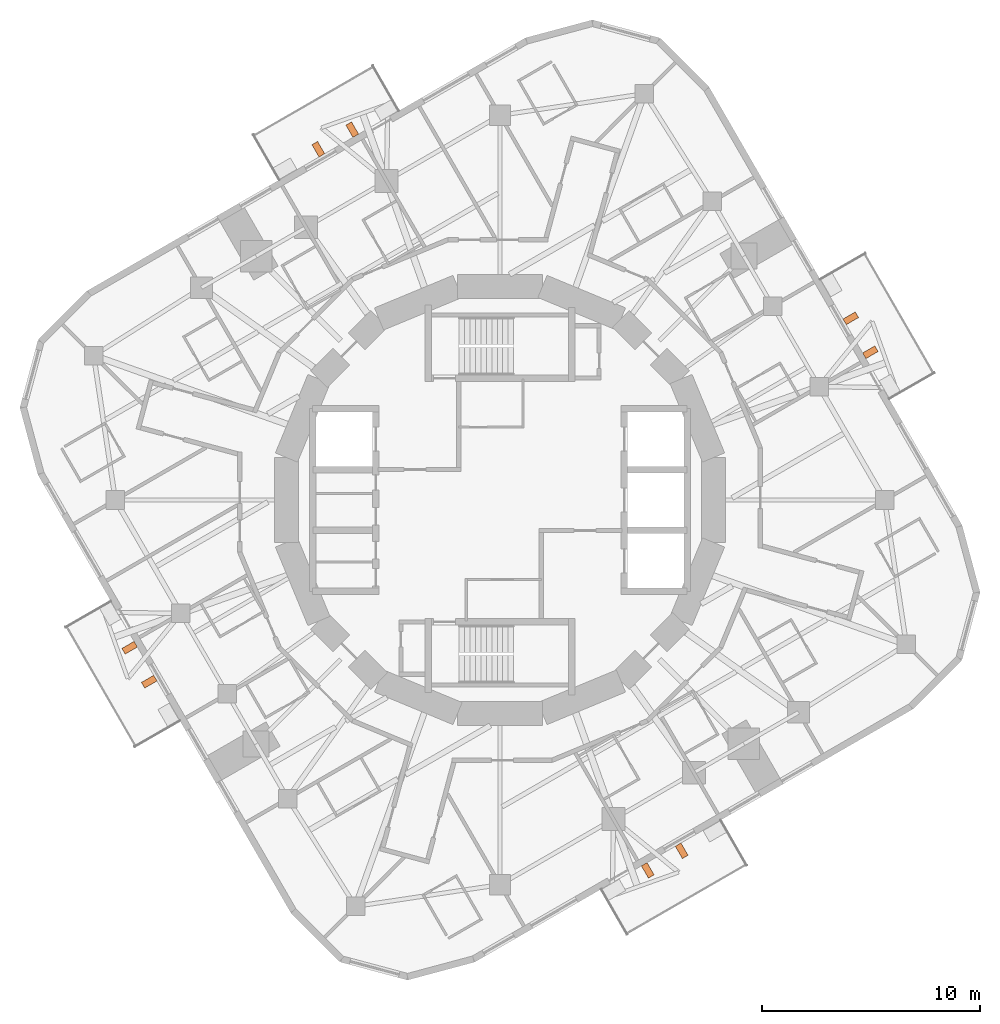
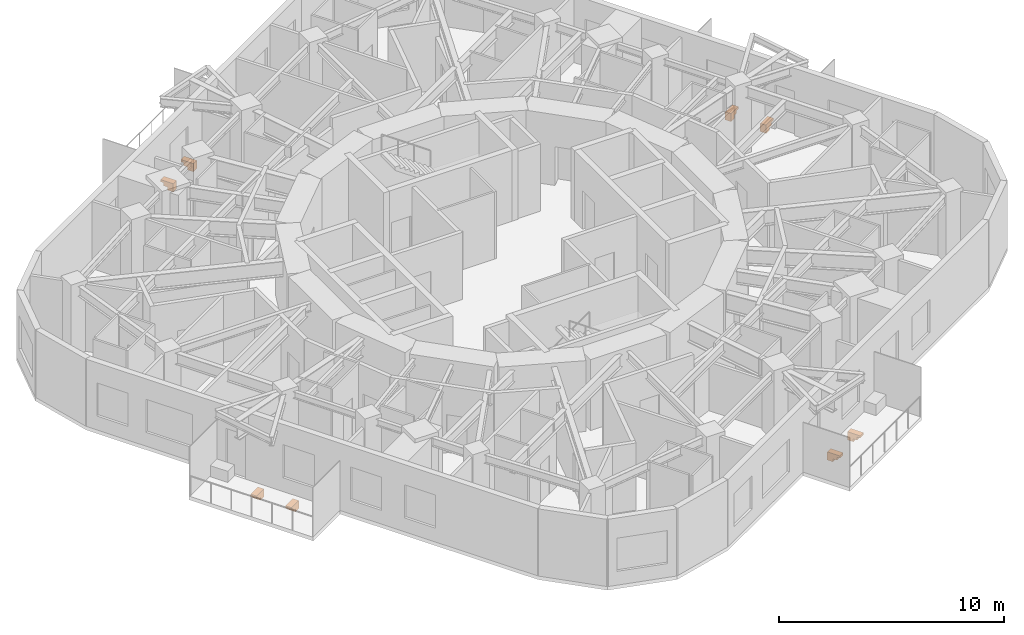
# One storey, part 11 of 11: 8 proxies.
"""IFC4 building model written with IfcOpenShell, lengths in metres."""

from ifc_helpers import new_model, si_unit, direction, frame, origin, place, context, subcontext, project, spatial, polyline, outline, extrude, material, type_object, element, save


model = new_model("IFC4")

# Units and contexts
model_context = context("Model", 3, precision=1e-05, world=origin(), true_north=direction((0.0, 1.0)))
body_context = subcontext(model_context, "Body", "Model", "MODEL_VIEW")
ifc_project = project(units=[si_unit("LENGTHUNIT", "METRE"), si_unit("AREAUNIT", "SQUARE_METRE"), si_unit("VOLUMEUNIT", "CUBIC_METRE"), si_unit("PLANEANGLEUNIT", "RADIAN"), si_unit("MASSUNIT", "GRAM", prefix="KILO")], contexts=[model_context])

# Site, building, storey
site_placement = place(None, origin())
site = spatial("IfcSite", under=ifc_project, at=site_placement, CompositionType="ELEMENT")
building_placement = place(site_placement, origin())
building = spatial("IfcBuilding", under=site, at=building_placement, Name="Nakasero Lantern House", CompositionType="ELEMENT")
storey_placement = place(building_placement, frame((0.0, 0.0, 250.050048828125)))
storey = spatial("IfcBuildingStorey", under=building, at=storey_placement, Name="L61", CompositionType="ELEMENT", Elevation=250.050048828125)

# Proxies
ifc_material = material(Name="Concrete C40/50 precast", Category="concrete")
building_element_proxy_type = type_object("IfcBuildingElementProxyType", Name="Balcony bracket 300", PredefinedType="USERDEFINED", material=ifc_material)
for number, where, z_axis, x_axis, name in (
    (1, (16.7294921875, 6.62353515625, -0.199951171875), (0.0, 0.0, 1.0), (0.866025404, 0.5, 0.0), "Balcony bracket L61 0A"),
    (2, (15.82958984375, 8.182373046875, -0.199951171875), (0.0, 0.0, 1.0), (0.866025404, 0.5, 0.0), "Balcony bracket L61 0B"),
    (3, (-6.62353515625, 16.7294921875, -0.199951171875), (0.0, 0.0, 1.0), (-0.5, 0.866025404, 0.0), "Balcony bracket L61 1A"),
    (4, (-8.182373046875, 15.82958984375, -0.199951171875), (0.0, 0.0, 1.0), (-0.5, 0.866025404, 0.0), "Balcony bracket L61 1B"),
    (5, (-16.7294921875, -6.62353515625, -0.199951171875), (0.0, 0.0, 1.0), (-0.866025404, -0.5, 0.0), "Balcony bracket L61 2A"),
    (6, (-15.82958984375, -8.182373046875, -0.199951171875), (0.0, 0.0, 1.0), (-0.866025404, -0.5, 0.0), "Balcony bracket L61 2B"),
    (7, (6.62353515625, -16.7294921875, -0.199951171875), (0.0, 0.0, 1.0), (0.5, -0.866025404, 0.0), "Balcony bracket L61 3A"),
    (8, (8.182373046875, -15.82958984375, -0.199951171875), (0.0, 0.0, 1.0), (0.5, -0.866025404, 0.0), "Balcony bracket L61 3B"),
):
    element("IfcBuildingElementProxy", number, at=place(storey_placement, frame(where, z_axis=z_axis, x_axis=x_axis)), inside=storey, type_object=building_element_proxy_type, Name=name, ObjectType="BALCONY BRACKET", PredefinedType="USERDEFINED", context=body_context, shape_type="SweptSolid", body=[
        extrude(outline(polyline([(0.0, 0.0), (0.64990234375, 0.0), (0.64990234375, -0.1201171875), (0.5, -0.1201171875), (0.5, -0.280029296875), (0.300048828125, -0.280029296875), (0.300048828125, -0.43994140625), (0.0, -0.43994140625), (0.0, 0.0)])), frame((0.0, 0.14990234375, 0.0), z_axis=(0.0, -1.0, 0.0), x_axis=(1.0, 0.0, 0.0)), (0.0, 0.0, 1.0), 0.300048828125),
    ])

save(model, "model.ifc")
